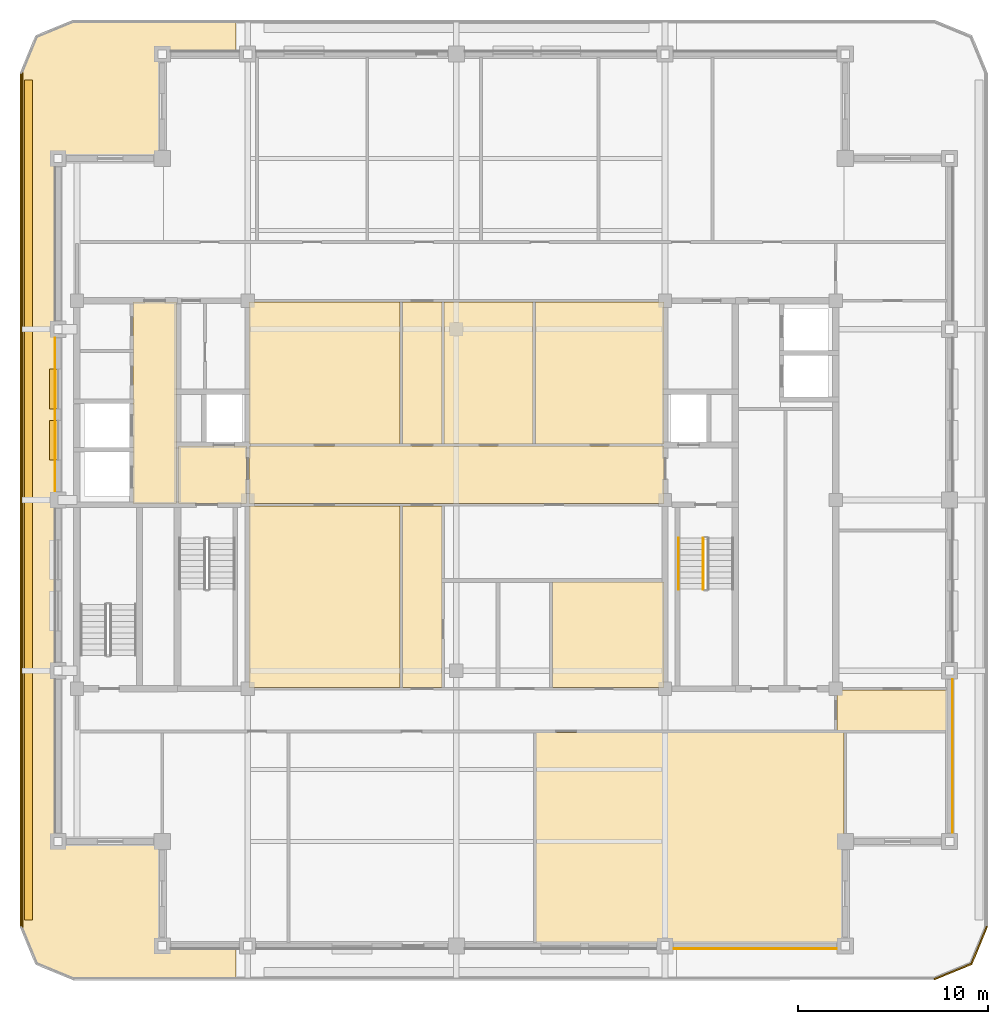
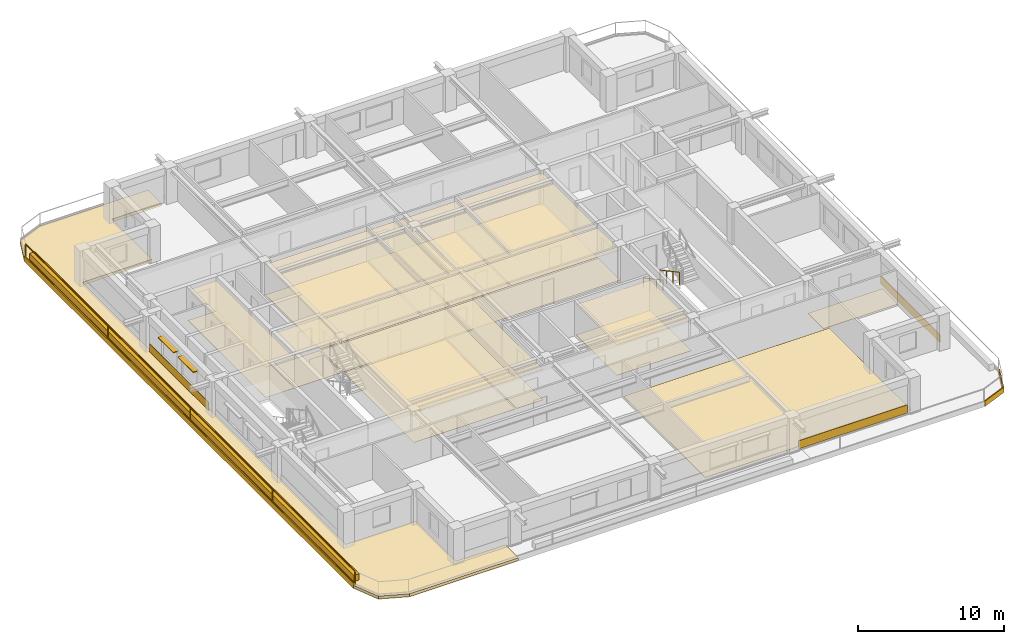
# One storey, part 9 of 11: 30 coverings, 3 railings, 2 shading devices.
"""IFC4 building model written with IfcOpenShell, lengths in metres."""

from ifc_helpers import new_model, si_unit, direction, frame, frame_2d, origin, origin_2d, place, context, subcontext, project, spatial, polyline, rectangle, outline, extrude, material, layer, layer_set, type_object, element, save


model = new_model("IFC4")

# Units and contexts
model_context = context("Model", 3, precision=1e-05, world=origin(), true_north=direction((0.0, 1.0)))
body_context = subcontext(model_context, "Body", "Model", "MODEL_VIEW")
ifc_project = project(units=[si_unit("LENGTHUNIT", "METRE"), si_unit("AREAUNIT", "SQUARE_METRE"), si_unit("VOLUMEUNIT", "CUBIC_METRE"), si_unit("PLANEANGLEUNIT", "RADIAN"), si_unit("MASSUNIT", "GRAM", prefix="KILO")], contexts=[model_context])

# Site, building, storey
site_placement = place(None, origin())
site = spatial("IfcSite", under=ifc_project, at=site_placement, CompositionType="ELEMENT")
building_placement = place(site_placement, origin())
building = spatial("IfcBuilding", under=site, at=building_placement, Name="Zulmaris Gate Convention Tower", CompositionType="ELEMENT")
storey_placement = place(building_placement, frame((0.0, 0.0, 239.739990234375)))
storey = spatial("IfcBuildingStorey", under=building, at=storey_placement, Name="L63", CompositionType="ELEMENT", Elevation=239.739990234375)

# Coverings
ifc_material_1 = material(Name="Precast concrete C40/50", Category="concrete")
ifc_layer_1 = layer(ifc_material_1, 0.0400390625, Name="Precast concrete C40/50")
ifc_layer_set_1 = layer_set([ifc_layer_1], Name="Precast concrete C40/50")
covering_type_1 = type_object("IfcCoveringType", Name="CLAD-SPANDREL-PRECAST", PredefinedType="CLADDING", material=ifc_layer_set_1)
covering_1_placement = place(storey_placement, frame((11.455078125, -23.64990234375, 0.0), z_axis=(0.0, 0.0, 1.0), x_axis=(1.0, 0.0, 0.0)))
element("IfcCovering", 1, at=covering_1_placement, inside=storey, type_object=covering_type_1, Name="CLD-L63-S-3_0", PredefinedType="CLADDING", context=body_context, shape_type="SweptSolid", body=[
    extrude(rectangle(XDim=8.58984375, YDim=0.0400390625, at=frame_2d((4.294921875, 0.0))), origin(), (0.0, 0.0, 1.0), 0.679931640625),
])
for number, where, z_axis, x_axis, name in (
    (2, (26.14990234375, -17.544921875, 0.0), (0.0, 0.0, 1.0), (0.0, 1.0, 0.0), "CLD-L63-E-0_0"),
    (3, (-21.14990234375, 8.544921875, 0.0), (0.0, 0.0, 1.0), (0.0, -1.0, 0.0), "CLD-L63-W-2_0"),
):
    element("IfcCovering", number, at=place(storey_placement, frame(where, z_axis=z_axis, x_axis=x_axis)), inside=storey, type_object=covering_type_1, Name=name, PredefinedType="CLADDING", context=body_context, shape_type="SweptSolid", body=[
        extrude(rectangle(XDim=8.08984375, YDim=0.0400390625, at=frame_2d((4.044921875, 0.0))), origin(), (0.0, 0.0, 1.0), 0.679931640625),
    ])
ifc_material_2 = material(Name="White Glazed Architectural Precast Concrete C40/50", Category="concrete")
ifc_layer_2 = layer(ifc_material_2, 0.239990234375, Name="White Glazed Architectural Precast Concrete C40/50")
ifc_layer_set_2 = layer_set([ifc_layer_2], Name="White Glazed Architectural Precast Concrete C40/50")
covering_type_2 = type_object("IfcCoveringType", Name="CLAD-TRAY-DECK", PredefinedType="CLADDING", material=ifc_layer_set_2)
covering_2_placement = place(storey_placement, frame((0.0, 0.0, -0.25)))
element("IfcCovering", 4, at=covering_2_placement, inside=storey, type_object=covering_type_2, Name="L63 West Rounded-Fascia Planter Tray Deck", PredefinedType="CLADDING", context=body_context, shape_type="SweptSolid", body=[
    extrude(outline(polyline([(-23.0, 22.5), (-22.179931640625, 24.47998046875), (-20.199951171875, 25.300048828125), (-11.60205078125, 25.300048828125), (-11.60205078125, 23.5), (-15.5, 23.5), (-15.5, 18.0), (-21.0, 18.0), (-21.0, -18.0), (-15.5, -18.0), (-15.5, -23.5), (-11.60205078125, -23.5), (-11.60205078125, -25.300048828125), (-20.199951171875, -25.300048828125), (-22.179931640625, -24.47998046875), (-23.0, -22.5), (-23.0, 22.5)])), origin(), (0.0, 0.0, 1.0), 0.239990234375),
])
ifc_layer_3 = layer(ifc_material_2, 0.080078125, Name="White Glazed Architectural Precast Concrete C40/50")
ifc_layer_set_3 = layer_set([ifc_layer_3], Name="White Glazed Architectural Precast Concrete C40/50")
covering_type_3 = type_object("IfcCoveringType", Name="CLAD-TRAY-FASCIA", PredefinedType="CLADDING", material=ifc_layer_set_3)
covering_3_placement = place(storey_placement, frame((25.184814453125, -25.262939453125, -0.2900390625), z_axis=(0.0, 0.0, 1.0), x_axis=(0.923873803533, 0.382697263049, 0.0)))
element("IfcCovering", 5, at=covering_3_placement, inside=storey, type_object=covering_type_3, Name="FSC-L63-TR-03", PredefinedType="CLADDING", context=body_context, shape_type="SweptSolid", body=[
    extrude(rectangle(XDim=2.142822265625, YDim=0.080078125, at=frame_2d((1.0712890625, 0.0))), origin(), (0.0, 0.0, 1.0), 0.43994140625),
])
covering_4_placement = place(storey_placement, frame((27.142822265625, -24.464599609375, -0.2900390625), z_axis=(0.0, 0.0, 1.0), x_axis=(0.382656984709, 0.923890487046, 0.0)))
element("IfcCovering", 6, at=covering_4_placement, inside=storey, type_object=covering_type_3, Name="FSC-L63-TR-04", PredefinedType="CLADDING", context=body_context, shape_type="SweptSolid", body=[
    extrude(rectangle(XDim=2.14306640625, YDim=0.080078125, at=frame_2d((1.071533203125, 0.0))), origin(), (0.0, 0.0, 1.0), 0.43994140625),
])
covering_5_placement = place(storey_placement, frame((-22.9599609375, 22.5, -0.2900390625), z_axis=(0.0, 0.0, 1.0), x_axis=(0.0, -1.0, 0.0)))
element("IfcCovering", 7, at=covering_5_placement, inside=storey, type_object=covering_type_3, Name="FSC-L63-TR-11", PredefinedType="CLADDING", context=body_context, shape_type="SweptSolid", body=[
    extrude(rectangle(XDim=45.0, YDim=0.080078125, at=frame_2d((22.5, 0.0))), origin(), (0.0, 0.0, 1.0), 0.43994140625),
])
ifc_material_3 = material(Name="Mineral Fibre Acoustic Ceiling Tile")
ifc_layer_4 = layer(ifc_material_3, 0.02001953125, Name="Mineral Fibre Acoustic Ceiling Tile")
ifc_layer_set_4 = layer_set([ifc_layer_4], Name="Mineral Fibre Acoustic Ceiling Tile")
covering_type_4 = type_object("IfcCoveringType", Name="CLG-ACOUSTIC-600", PredefinedType="CEILING", material=ifc_layer_set_4)
covering_6_placement = place(storey_placement, frame((0.0, 0.0, 2.699951171875)))
element("IfcCovering", 8, at=covering_6_placement, inside=storey, type_object=covering_type_4, Name="CLG-L63-R03", PredefinedType="CEILING", context=body_context, shape_type="SweptSolid", body=[
    extrude(outline(polyline([(-14.639892578125, -0.18994140625), (-11.06005859375, -0.18994140625), (-11.06005859375, 2.840087890625), (-14.639892578125, 2.840087890625), (-14.639892578125, -0.18994140625)])), origin(), (0.0, 0.0, 1.0), 0.02001953125),
])
covering_7_placement = place(storey_placement, frame((0.0, 0.0, 2.5380859375)))
element("IfcCovering", 9, at=covering_7_placement, inside=storey, type_object=covering_type_4, Name="CLG-L63-R18", PredefinedType="CEILING", context=body_context, shape_type="SweptSolid", body=[
    extrude(outline(polyline([(-17.0400390625, -0.18994140625), (-14.760009765625, -0.18994140625), (-14.760009765625, 10.43994140625), (-17.0400390625, 10.43994140625), (-17.0400390625, -0.18994140625)])), origin(), (0.0, 0.0, 1.0), 0.02001953125),
])
covering_8_placement = place(storey_placement, frame((0.0, 0.0, 2.5380859375)))
element("IfcCovering", 10, at=covering_8_placement, inside=storey, type_object=covering_type_4, Name="CLG-L63-R30", PredefinedType="CEILING", context=body_context, shape_type="SweptSolid", body=[
    extrude(outline(polyline([(-10.93994140625, -0.18994140625), (10.93994140625, -0.18994140625), (10.93994140625, 2.840087890625), (-10.93994140625, 2.840087890625), (-10.93994140625, -0.18994140625)])), origin(), (0.0, 0.0, 1.0), 0.02001953125),
])
covering_9_placement = place(storey_placement, frame((0.0, 0.0, 2.5380859375)))
element("IfcCovering", 11, at=covering_9_placement, inside=storey, type_object=covering_type_4, Name="CLG-L63-R31", PredefinedType="CEILING", context=body_context, shape_type="SweptSolid", body=[
    extrude(outline(polyline([(-2.840087890625, 2.9599609375), (-0.760009765625, 2.9599609375), (-0.760009765625, 10.43994140625), (-2.840087890625, 10.43994140625), (-2.840087890625, 2.9599609375)])), origin(), (0.0, 0.0, 1.0), 0.02001953125),
])
covering_10_placement = place(storey_placement, frame((0.0, 0.0, 2.5380859375)))
element("IfcCovering", 12, at=covering_10_placement, inside=storey, type_object=covering_type_4, Name="CLG-L63-R32", PredefinedType="CEILING", context=body_context, shape_type="SweptSolid", body=[
    extrude(outline(polyline([(-2.840087890625, -9.889892578125), (-0.760009765625, -9.889892578125), (-0.760009765625, -0.31005859375), (-2.840087890625, -0.31005859375), (-2.840087890625, -9.889892578125)])), origin(), (0.0, 0.0, 1.0), 0.02001953125),
])
covering_11_placement = place(storey_placement, frame((0.0, 0.0, 2.5380859375)))
element("IfcCovering", 13, at=covering_11_placement, inside=storey, type_object=covering_type_4, Name="CLG-L63-R42", PredefinedType="CEILING", context=body_context, shape_type="SweptSolid", body=[
    extrude(outline(polyline([(-10.93994140625, 2.9599609375), (-2.9599609375, 2.9599609375), (-2.9599609375, 10.43994140625), (-10.93994140625, 10.43994140625), (-10.93994140625, 2.9599609375)])), origin(), (0.0, 0.0, 1.0), 0.02001953125),
])
covering_12_placement = place(storey_placement, frame((0.0, 0.0, 2.5380859375)))
element("IfcCovering", 14, at=covering_12_placement, inside=storey, type_object=covering_type_4, Name="CLG-L63-R43", PredefinedType="CEILING", context=body_context, shape_type="SweptSolid", body=[
    extrude(outline(polyline([(-0.639892578125, 2.9599609375), (4.0400390625, 2.9599609375), (4.0400390625, 10.43994140625), (-0.639892578125, 10.43994140625), (-0.639892578125, 2.9599609375)])), origin(), (0.0, 0.0, 1.0), 0.02001953125),
])
covering_13_placement = place(storey_placement, frame((0.0, 0.0, 2.5380859375)))
element("IfcCovering", 15, at=covering_13_placement, inside=storey, type_object=covering_type_4, Name="CLG-L63-R44", PredefinedType="CEILING", context=body_context, shape_type="SweptSolid", body=[
    extrude(outline(polyline([(4.159912109375, 2.9599609375), (10.93994140625, 2.9599609375), (10.93994140625, 10.43994140625), (4.159912109375, 10.43994140625), (4.159912109375, 2.9599609375)])), origin(), (0.0, 0.0, 1.0), 0.02001953125),
])
covering_14_placement = place(storey_placement, frame((0.0, 0.0, 2.5380859375)))
element("IfcCovering", 16, at=covering_14_placement, inside=storey, type_object=covering_type_4, Name="CLG-L63-R45", PredefinedType="CEILING", context=body_context, shape_type="SweptSolid", body=[
    extrude(outline(polyline([(-10.93994140625, -9.889892578125), (-2.9599609375, -9.889892578125), (-2.9599609375, -0.31005859375), (-10.93994140625, -0.31005859375), (-10.93994140625, -9.889892578125)])), origin(), (0.0, 0.0, 1.0), 0.02001953125),
])
covering_15_placement = place(storey_placement, frame((0.0, 0.0, 2.5380859375)))
element("IfcCovering", 17, at=covering_15_placement, inside=storey, type_object=covering_type_4, Name="CLG-L63-R49", PredefinedType="CEILING", context=body_context, shape_type="SweptSolid", body=[
    extrude(outline(polyline([(5.06005859375, -9.889892578125), (10.93994140625, -9.889892578125), (10.93994140625, -4.31005859375), (5.06005859375, -4.31005859375), (5.06005859375, -9.889892578125)])), origin(), (0.0, 0.0, 1.0), 0.02001953125),
])
ifc_material_4 = material(Name="Woven Acoustic Wool Carpet Tile")
ifc_layer_5 = layer(ifc_material_4, 0.02001953125, Name="Woven Acoustic Wool Carpet Tile")
ifc_layer_set_5 = layer_set([ifc_layer_5], Name="Woven Acoustic Wool Carpet Tile")
covering_type_5 = type_object("IfcCoveringType", Name="FLR-CARPET-12", PredefinedType="FLOORING", material=ifc_layer_set_5)
covering_16_placement = place(storey_placement, origin())
element("IfcCovering", 18, at=covering_16_placement, inside=storey, type_object=covering_type_5, Name="FLR-L63-R03", PredefinedType="FLOORING", context=body_context, shape_type="SweptSolid", body=[
    extrude(outline(polyline([(-14.639892578125, -0.18994140625), (-11.06005859375, -0.18994140625), (-11.06005859375, 2.840087890625), (-14.639892578125, 2.840087890625), (-14.639892578125, -0.18994140625)])), origin(), (0.0, 0.0, 1.0), 0.02001953125),
])
covering_17_placement = place(storey_placement, origin())
element("IfcCovering", 19, at=covering_17_placement, inside=storey, type_object=covering_type_5, Name="FLR-L63-R18", PredefinedType="FLOORING", context=body_context, shape_type="SweptSolid", body=[
    extrude(outline(polyline([(-17.0400390625, -0.18994140625), (-14.760009765625, -0.18994140625), (-14.760009765625, 10.43994140625), (-17.0400390625, 10.43994140625), (-17.0400390625, -0.18994140625)])), origin(), (0.0, 0.0, 1.0), 0.02001953125),
])
covering_18_placement = place(storey_placement, origin())
element("IfcCovering", 20, at=covering_18_placement, inside=storey, type_object=covering_type_5, Name="FLR-L63-R30", PredefinedType="FLOORING", context=body_context, shape_type="SweptSolid", body=[
    extrude(outline(polyline([(-10.93994140625, -0.18994140625), (10.93994140625, -0.18994140625), (10.93994140625, 2.840087890625), (-10.93994140625, 2.840087890625), (-10.93994140625, -0.18994140625)])), origin(), (0.0, 0.0, 1.0), 0.02001953125),
])
covering_19_placement = place(storey_placement, origin())
element("IfcCovering", 21, at=covering_19_placement, inside=storey, type_object=covering_type_5, Name="FLR-L63-R31", PredefinedType="FLOORING", context=body_context, shape_type="SweptSolid", body=[
    extrude(outline(polyline([(-2.840087890625, 2.9599609375), (-0.760009765625, 2.9599609375), (-0.760009765625, 10.43994140625), (-2.840087890625, 10.43994140625), (-2.840087890625, 2.9599609375)])), origin(), (0.0, 0.0, 1.0), 0.02001953125),
])
covering_20_placement = place(storey_placement, origin())
element("IfcCovering", 22, at=covering_20_placement, inside=storey, type_object=covering_type_5, Name="FLR-L63-R32", PredefinedType="FLOORING", context=body_context, shape_type="SweptSolid", body=[
    extrude(outline(polyline([(-2.840087890625, -9.889892578125), (-0.760009765625, -9.889892578125), (-0.760009765625, -0.31005859375), (-2.840087890625, -0.31005859375), (-2.840087890625, -9.889892578125)])), origin(), (0.0, 0.0, 1.0), 0.02001953125),
])
covering_21_placement = place(storey_placement, origin())
element("IfcCovering", 23, at=covering_21_placement, inside=storey, type_object=covering_type_5, Name="FLR-L63-R41", PredefinedType="FLOORING", context=body_context, shape_type="SweptSolid", body=[
    extrude(outline(polyline([(4.2099609375, -23.43994140625), (20.43994140625, -23.43994140625), (20.43994140625, -12.260009765625), (4.2099609375, -12.260009765625), (4.2099609375, -23.43994140625)])), origin(), (0.0, 0.0, 1.0), 0.02001953125),
])
covering_22_placement = place(storey_placement, origin())
element("IfcCovering", 24, at=covering_22_placement, inside=storey, type_object=covering_type_5, Name="FLR-L63-R44", PredefinedType="FLOORING", context=body_context, shape_type="SweptSolid", body=[
    extrude(outline(polyline([(4.159912109375, 2.9599609375), (10.93994140625, 2.9599609375), (10.93994140625, 10.43994140625), (4.159912109375, 10.43994140625), (4.159912109375, 2.9599609375)])), origin(), (0.0, 0.0, 1.0), 0.02001953125),
])
covering_23_placement = place(storey_placement, origin())
element("IfcCovering", 25, at=covering_23_placement, inside=storey, type_object=covering_type_5, Name="FLR-L63-R45", PredefinedType="FLOORING", context=body_context, shape_type="SweptSolid", body=[
    extrude(outline(polyline([(-10.93994140625, -9.889892578125), (-2.9599609375, -9.889892578125), (-2.9599609375, -0.31005859375), (-10.93994140625, -0.31005859375), (-10.93994140625, -9.889892578125)])), origin(), (0.0, 0.0, 1.0), 0.02001953125),
])
covering_24_placement = place(storey_placement, origin())
element("IfcCovering", 26, at=covering_24_placement, inside=storey, type_object=covering_type_5, Name="FLR-L63-R49", PredefinedType="FLOORING", context=body_context, shape_type="SweptSolid", body=[
    extrude(outline(polyline([(5.06005859375, -9.889892578125), (10.93994140625, -9.889892578125), (10.93994140625, -4.31005859375), (5.06005859375, -4.31005859375), (5.06005859375, -9.889892578125)])), origin(), (0.0, 0.0, 1.0), 0.02001953125),
])
covering_25_placement = place(storey_placement, origin())
element("IfcCovering", 27, at=covering_25_placement, inside=storey, type_object=covering_type_5, Name="FLR-L63-R51", PredefinedType="FLOORING", context=body_context, shape_type="SweptSolid", body=[
    extrude(outline(polyline([(20.06005859375, -12.139892578125), (25.93994140625, -12.139892578125), (25.93994140625, -10.010009765625), (20.06005859375, -10.010009765625), (20.06005859375, -12.139892578125)])), origin(), (0.0, 0.0, 1.0), 0.02001953125),
])
ifc_material_5 = material(Name="Polished Granite Terrazzo Tile", Category="masonry")
ifc_layer_6 = layer(ifc_material_5, 0.02001953125, Name="Polished Granite Terrazzo Tile")
ifc_layer_set_6 = layer_set([ifc_layer_6], Name="Polished Granite Terrazzo Tile")
covering_type_6 = type_object("IfcCoveringType", Name="FLR-TERRAZZO-30", PredefinedType="FLOORING", material=ifc_layer_set_6)
covering_26_placement = place(storey_placement, origin())
element("IfcCovering", 28, at=covering_26_placement, inside=storey, type_object=covering_type_6, Name="FLR-L63-R42", PredefinedType="FLOORING", context=body_context, shape_type="SweptSolid", body=[
    extrude(outline(polyline([(-10.93994140625, 2.9599609375), (-2.9599609375, 2.9599609375), (-2.9599609375, 10.43994140625), (-10.93994140625, 10.43994140625), (-10.93994140625, 2.9599609375)])), origin(), (0.0, 0.0, 1.0), 0.02001953125),
])
ifc_material_6 = material(Name="Engineered Teak Parquet Flooring")
ifc_layer_7 = layer(ifc_material_6, 0.02001953125, Name="Engineered Teak Parquet Flooring")
ifc_layer_set_7 = layer_set([ifc_layer_7], Name="Engineered Teak Parquet Flooring")
covering_type_7 = type_object("IfcCoveringType", Name="FLR-TIMBER-18", PredefinedType="FLOORING", material=ifc_layer_set_7)
covering_27_placement = place(storey_placement, origin())
element("IfcCovering", 29, at=covering_27_placement, inside=storey, type_object=covering_type_7, Name="FLR-L63-R43", PredefinedType="FLOORING", context=body_context, shape_type="SweptSolid", body=[
    extrude(outline(polyline([(-0.639892578125, 2.9599609375), (4.0400390625, 2.9599609375), (4.0400390625, 10.43994140625), (-0.639892578125, 10.43994140625), (-0.639892578125, 2.9599609375)])), origin(), (0.0, 0.0, 1.0), 0.02001953125),
])
ifc_material_7 = material(Name="Botanical Green Glazed Precast Concrete C40/50", Category="concrete")
ifc_layer_8 = layer(ifc_material_7, 0.419921875, Name="Botanical Green Glazed Precast Concrete C40/50")
ifc_layer_set_8 = layer_set([ifc_layer_8], Name="Botanical Green Glazed Precast Concrete C40/50")
covering_type_8 = type_object("IfcCoveringType", Name="PLANTER-BOX-200", PredefinedType="CLADDING", material=ifc_layer_set_8)
covering_28_placement = place(storey_placement, frame((0.0, 0.0, -0.010009765625)))
element("IfcCovering", 30, at=covering_28_placement, inside=storey, type_object=covering_type_8, Name="L63 W Full-Length Balcony Tree Planter Trough", PredefinedType="CLADDING", context=body_context, shape_type="SweptSolid", body=[
    extrude(outline(polyline([(-22.760009765625, -22.14990234375), (-22.340087890625, -22.14990234375), (-22.340087890625, 22.14990234375), (-22.760009765625, 22.14990234375), (-22.760009765625, -22.14990234375)])), origin(), (0.0, 0.0, 1.0), 0.52001953125),
])

# Railings
ifc_material_8 = material(Name="Laminated Glass and Stainless Steel", Category="steel")
railing_type_1 = type_object("IfcRailingType", Name="RL-BALC-1150", PredefinedType="BALUSTRADE", material=ifc_material_8)
railing_1_placement = place(storey_placement, frame((-22.8798828125, 22.5, -0.010009765625)))
element("IfcRailing", 31, at=railing_1_placement, inside=storey, type_object=railing_type_1, Name="RL-L63-BALC-W", PredefinedType="BALUSTRADE", context=body_context, shape_type="SweptSolid", body=[
    extrude(rectangle(XDim=0.048095703125, YDim=0.048095703125, at=origin_2d()), frame((0.0, 0.0, 1.1259765625), z_axis=(0.0, -1.0, 0.0), x_axis=(1.0, 0.0, 0.0)), (0.0, 0.0, 1.0), 45.0),
    extrude(rectangle(XDim=0.048095703125, YDim=0.048095703125, at=origin_2d()), frame((0.0, 0.0, 0.02392578125), z_axis=(0.0, -1.0, 0.0), x_axis=(1.0, 0.0, 0.0)), (0.0, 0.0, 1.0), 45.0),
    extrude(rectangle(XDim=0.0419921875, YDim=0.0419921875, at=origin_2d()), origin(), (0.0, 0.0, 1.0), 1.101806640625),
    extrude(rectangle(XDim=0.0419921875, YDim=0.0419921875, at=origin_2d()), frame((0.0, -11.25, 0.0)), (0.0, 0.0, 1.0), 1.101806640625),
    extrude(rectangle(XDim=0.0419921875, YDim=0.0419921875, at=origin_2d()), frame((0.0, -22.5, 0.0)), (0.0, 0.0, 1.0), 1.101806640625),
    extrude(rectangle(XDim=0.0419921875, YDim=0.0419921875, at=origin_2d()), frame((0.0, -33.75, 0.0)), (0.0, 0.0, 1.0), 1.101806640625),
    extrude(rectangle(XDim=0.0419921875, YDim=0.0419921875, at=origin_2d()), frame((0.0, -45.0, 0.0)), (0.0, 0.0, 1.0), 1.101806640625),
])
ifc_material_9 = material(Name="Painted Galvanised Steel", Category="steel")
railing_type_2 = type_object("IfcRailingType", Name="RL-STG-1150", PredefinedType="GUARDRAIL", material=ifc_material_9)
railing_2_placement = place(storey_placement, frame((13.010009765625, -2.0, 0.16162109375)))
element("IfcRailing", 32, at=railing_2_placement, inside=storey, type_object=railing_type_2, Name="L63 ST-2 stair guard 1", PredefinedType="GUARDRAIL", context=body_context, shape_type="SweptSolid", body=[
    extrude(rectangle(XDim=0.048095703125, YDim=0.048095703125, at=origin_2d()), frame((0.0, 0.0, 1.076171875), z_axis=(0.0, -0.880532452117, 0.47398586558), x_axis=(1.0, 0.0, 0.0)), (0.0, 0.0, 1.0), 3.066162109375),
    extrude(rectangle(XDim=0.0419921875, YDim=0.0419921875, at=origin_2d()), origin(), (0.0, 0.0, 1.0), 1.052001953125),
    extrude(rectangle(XDim=0.0419921875, YDim=0.0419921875, at=origin_2d()), frame((0.0, -0.89990234375, 0.484375)), (0.0, 0.0, 1.0), 1.052001953125),
    extrude(rectangle(XDim=0.0419921875, YDim=0.0419921875, at=origin_2d()), frame((0.0, -1.800048828125, 0.968994140625)), (0.0, 0.0, 1.0), 1.052001953125),
    extrude(rectangle(XDim=0.0419921875, YDim=0.0419921875, at=origin_2d()), frame((0.0, -2.699951171875, 1.453369140625)), (0.0, 0.0, 1.0), 1.052001953125),
])
ifc_material_10 = material(Name="Brushed Stainless Steel", Category="steel")
railing_type_3 = type_object("IfcRailingType", Name="RL-STH-900", PredefinedType="HANDRAIL", material=ifc_material_10)
railing_3_placement = place(storey_placement, frame((11.7099609375, -2.0, 0.16162109375)))
element("IfcRailing", 33, at=railing_3_placement, inside=storey, type_object=railing_type_3, Name="L63 ST-2 stair handrail 1", PredefinedType="HANDRAIL", context=body_context, shape_type="SweptSolid", body=[
    extrude(rectangle(XDim=0.048095703125, YDim=0.048095703125, at=origin_2d()), frame((0.0, 0.0, 0.8759765625), z_axis=(0.0, -0.880532452117, 0.47398586558), x_axis=(1.0, 0.0, 0.0)), (0.0, 0.0, 1.0), 3.066162109375),
    extrude(rectangle(XDim=0.0419921875, YDim=0.0419921875, at=origin_2d()), origin(), (0.0, 0.0, 1.0), 0.851806640625),
    extrude(rectangle(XDim=0.0419921875, YDim=0.0419921875, at=origin_2d()), frame((0.0, -0.89990234375, 0.484375)), (0.0, 0.0, 1.0), 0.851806640625),
    extrude(rectangle(XDim=0.0419921875, YDim=0.0419921875, at=origin_2d()), frame((0.0, -1.800048828125, 0.968994140625)), (0.0, 0.0, 1.0), 0.851806640625),
    extrude(rectangle(XDim=0.0419921875, YDim=0.0419921875, at=origin_2d()), frame((0.0, -2.699951171875, 1.453369140625)), (0.0, 0.0, 1.0), 0.851806640625),
])

# Shading devices
ifc_material_11 = material(Name="Glazed Ceramic Terracotta", Category="masonry")
ifc_layer_9 = layer(ifc_material_11, 0.070068359375, Name="Glazed Ceramic Terracotta")
ifc_layer_set_9 = layer_set([ifc_layer_9], Name="Glazed Ceramic Terracotta")
shading_device_type = type_object("IfcShadingDeviceType", Name="SHD-SUNSHADE-TC", PredefinedType="AWNING", material=ifc_layer_set_9)
for number, where, z_axis, x_axis, name in (
    (34, (-21.219970703125, 6.89794921875, 2.22998046875), (0.0, 0.0, 1.0), (0.0, -1.0, 0.0), "SHD-EW-L63-W-2_0-1"),
    (35, (-21.219970703125, 4.201904296875, 2.22998046875), (0.0, 0.0, 1.0), (0.0, -1.0, 0.0), "SHD-EW-L63-W-2_0-2"),
):
    element("IfcShadingDevice", number, at=place(storey_placement, frame(where, z_axis=z_axis, x_axis=x_axis)), inside=storey, type_object=shading_device_type, Name=name, PredefinedType="AWNING", context=body_context, shape_type="SweptSolid", body=[
        extrude(rectangle(XDim=2.099853515625, YDim=0.43994140625, at=frame_2d((1.0498046875, 0.0))), origin(), (0.0, 0.0, 1.0), 0.070068359375),
    ])

save(model, "model.ifc")
